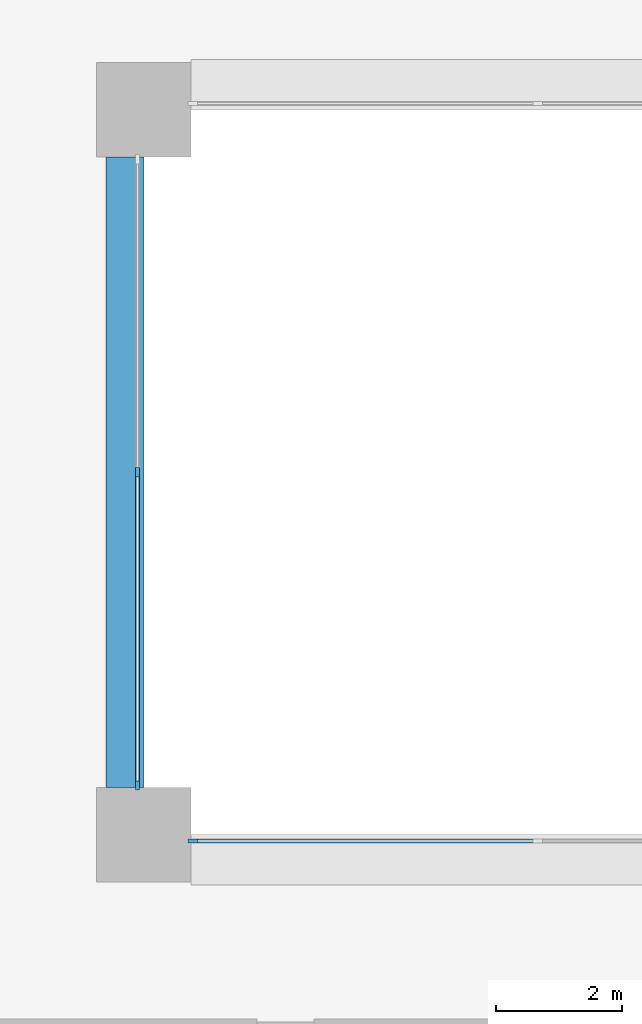
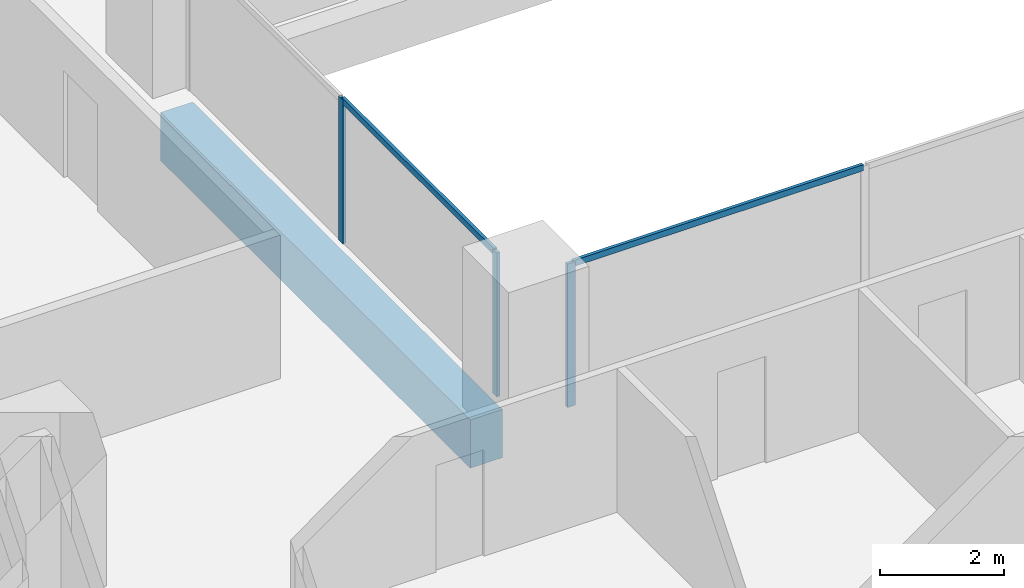
# One storey, part 2 of 20: 5 members, 1 beam, 2 elements without a shape of their own.
"""IFC4 building model written with IfcOpenShell, lengths in metres."""

from ifc_helpers import new_model, si_unit, direction, frame, origin, origin_2d, place, context, subcontext, project, spatial, rectangle, extrude, material, layer, layer_set, material_profile, profile_set, type_object, element, aggregate, save


model = new_model("IFC4")

# Units and contexts
model_context = context("Model", 3, precision=1e-05, world=origin(), true_north=direction((0.0, 1.0)))
body_context = subcontext(model_context, "Body", "Model", "MODEL_VIEW")
ifc_project = project(units=[si_unit("LENGTHUNIT", "METRE"), si_unit("AREAUNIT", "SQUARE_METRE"), si_unit("VOLUMEUNIT", "CUBIC_METRE"), si_unit("PLANEANGLEUNIT", "RADIAN"), si_unit("MASSUNIT", "GRAM", prefix="KILO")], contexts=[model_context])

# Site, building, storey
site_placement = place(None, origin())
site = spatial("IfcSite", under=ifc_project, at=site_placement, CompositionType="ELEMENT")
building_placement = place(site_placement, origin())
building = spatial("IfcBuilding", under=site, at=building_placement, Name="Brigalow Station Residences", CompositionType="ELEMENT")
storey_placement = place(building_placement, frame((0.0, 0.0, 63.60009765625)))
storey = spatial("IfcBuildingStorey", under=building, at=storey_placement, Name="L18", CompositionType="ELEMENT", Elevation=63.60009765625)

# Beam
ifc_material_1 = material(Name="Concrete C65", Category="concrete")
ifc_material_profile_1 = material_profile(ifc_material_1, rectangle(XDim=0.60009765625, YDim=0.949951171875, at=origin_2d()), Name="RC600x950")
ifc_profile_set_1 = profile_set([ifc_material_profile_1], Name="Concrete C65")
beam_type = type_object("IfcBeamType", Name="ATRIUM EDGE GIRDER 600x950 C65", PredefinedType="BEAM", material=ifc_profile_set_1)
beam_placement = place(storey_placement, frame((26.699951171875, 24.75, -0.795166015625), z_axis=(0.0, 1.0, 0.0), x_axis=(-1.0, 0.0, 0.0)))
element("IfcBeam", 1, at=beam_placement, inside=storey, type_object=beam_type, Name="ATRIUM EDGE GIRDER 3 L18", PredefinedType="BEAM", context=body_context, shape_type="SweptSolid", body=[
    extrude(rectangle(XDim=0.60009765625, YDim=0.949951171875, at=origin_2d()), origin(), (0.0, 0.0, 1.0), 10.0),
])

# Curtain wall, member
ifc_material_2 = material(Name="Aluminium", Category="aluminium")
ifc_layer = layer(ifc_material_2, 0.14990234375)
ifc_layer_set = layer_set([ifc_layer], Name="ATRIUM FIRE-RATED GLAZING CURTAIN WALL")
curtain_wall_type = type_object("IfcCurtainWallType", Name="ATRIUM FIRE-RATED GLAZING CURTAIN WALL", PredefinedType="NOTDEFINED", material=ifc_layer_set)
curtain_wall_1_placement = place(storey_placement, origin())
curtain_wall_1 = element("IfcCurtainWall", 2, at=curtain_wall_1_placement, inside=storey, type_object=curtain_wall_type, Name="L18/cw/atrium-S", PredefinedType="NOTDEFINED")
ifc_material_3 = material(Name="Aluminium", Category="aluminium")
ifc_material_profile_2 = material_profile(ifc_material_3, rectangle(XDim=0.06005859375, YDim=0.14990234375, at=origin_2d()), Name="ATRIUM FIRE-RATED GLAZING MULLION 60x150")
ifc_profile_set_2 = profile_set([ifc_material_profile_2], Name="Aluminium")
member_type_1 = type_object("IfcMemberType", Name="ATRIUM FIRE-RATED GLAZING MULLION 60x150", PredefinedType="MULLION", material=ifc_profile_set_2)
member_1_placement = place(storey_placement, frame((27.780029296875, 23.89990234375, 0.0), z_axis=(0.0, 0.0, 1.0), x_axis=(0.0, 1.0, 0.0)))
member_1 = element("IfcMember", 3, at=member_1_placement, type_object=member_type_1, Name="L18/cw/atrium-S/M00", PredefinedType="MULLION", context=body_context, shape_type="SweptSolid", body=[
    extrude(rectangle(XDim=0.06005859375, YDim=0.14990234375, at=origin_2d()), origin(), (0.0, 0.0, 1.0), 2.829833984375),
])

# Curtain wall, members
curtain_wall_2_placement = place(storey_placement, origin())
curtain_wall_2 = element("IfcCurtainWall", 4, at=curtain_wall_2_placement, inside=storey, type_object=curtain_wall_type, Name="L18/cw/atrium-W", PredefinedType="NOTDEFINED")
member_2_placement = place(storey_placement, frame((26.89990234375, 29.75, 0.0), z_axis=(0.0, 0.0, 1.0), x_axis=(1.0, 0.0, 0.0)))
member_2 = element("IfcMember", 5, at=member_2_placement, type_object=member_type_1, Name="L18/cw/atrium-W/M01", PredefinedType="MULLION", context=body_context, shape_type="SweptSolid", body=[
    extrude(rectangle(XDim=0.06005859375, YDim=0.14990234375, at=origin_2d()), origin(), (0.0, 0.0, 1.0), 2.829833984375),
])
member_3_placement = place(storey_placement, frame((26.89990234375, 24.780029296875, 0.0), z_axis=(0.0, 0.0, 1.0), x_axis=(1.0, 0.0, 0.0)))
member_3 = element("IfcMember", 6, at=member_3_placement, type_object=member_type_1, Name="L18/cw/atrium-W/M02", PredefinedType="MULLION", context=body_context, shape_type="SweptSolid", body=[
    extrude(rectangle(XDim=0.06005859375, YDim=0.14990234375, at=origin_2d()), origin(), (0.0, 0.0, 1.0), 2.829833984375),
])

# Member
ifc_material_4 = material(Name="Aluminium", Category="aluminium")
ifc_material_profile_3 = material_profile(ifc_material_4, rectangle(XDim=0.06005859375, YDim=0.1201171875, at=origin_2d()), Name="ATRIUM FIRE-RATED GLAZING TRANSOM 60x120")
ifc_profile_set_3 = profile_set([ifc_material_profile_3], Name="Aluminium")
member_type_2 = type_object("IfcMemberType", Name="ATRIUM FIRE-RATED GLAZING TRANSOM 60x120", PredefinedType="USERDEFINED", material=ifc_profile_set_3)
member_4_placement = place(storey_placement, frame((27.81005859375, 23.89990234375, 2.7998046875), z_axis=(1.0, 0.0, 0.0), x_axis=(0.0, 1.0, 0.0)))
member_4 = element("IfcMember", 7, at=member_4_placement, type_object=member_type_2, Name="L18/cw/atrium-S/T00-00", ObjectType="TRANSOM", PredefinedType="USERDEFINED", context=body_context, shape_type="SweptSolid", body=[
    extrude(rectangle(XDim=0.06005859375, YDim=0.1201171875, at=origin_2d()), origin(), (0.0, 0.0, 1.0), 5.409912109375),
])

aggregate(curtain_wall_1, [member_1, member_4])

member_5_placement = place(storey_placement, frame((26.89990234375, 29.719970703125, 2.7998046875), z_axis=(0.0, -1.0, 0.0), x_axis=(1.0, 0.0, 0.0)))
member_5 = element("IfcMember", 8, at=member_5_placement, type_object=member_type_2, Name="L18/cw/atrium-W/T01-00", ObjectType="TRANSOM", PredefinedType="USERDEFINED", context=body_context, shape_type="SweptSolid", body=[
    extrude(rectangle(XDim=0.06005859375, YDim=0.1201171875, at=origin_2d()), origin(), (0.0, 0.0, 1.0), 4.909912109375),
])

aggregate(curtain_wall_2, [member_2, member_3, member_5])

save(model, "model.ifc")
